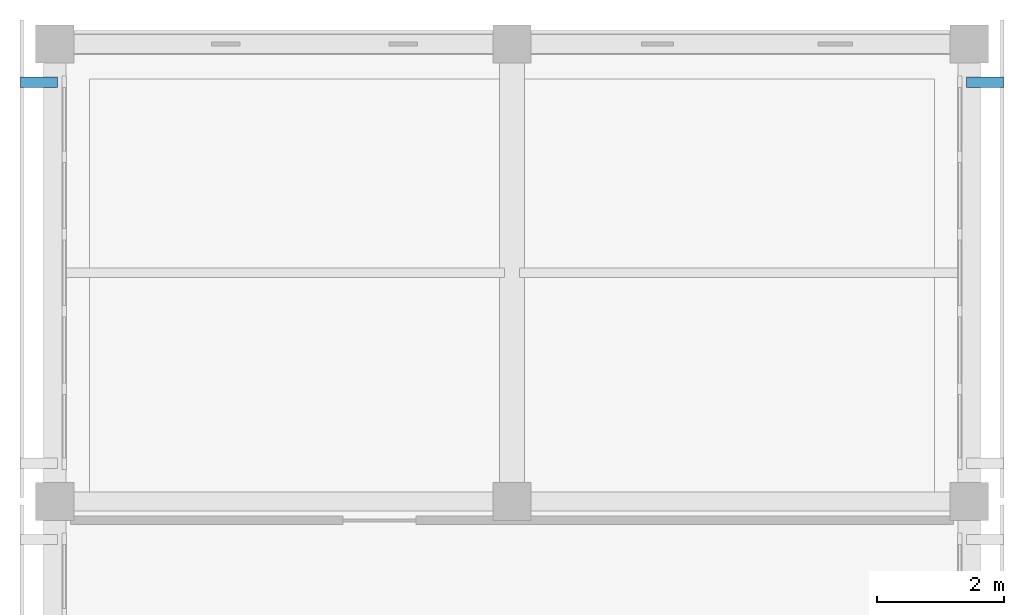
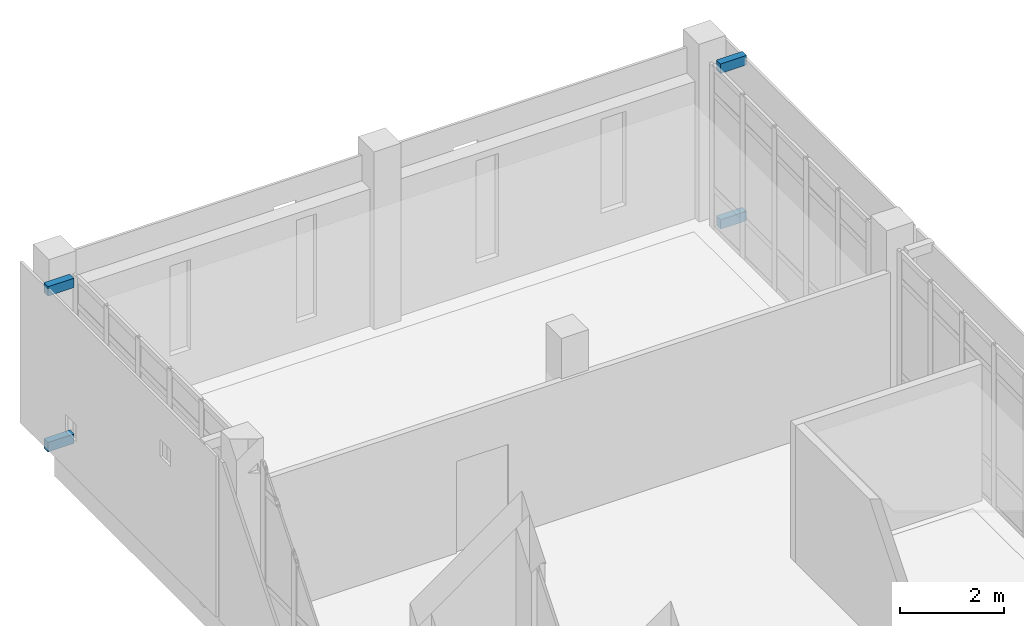
# One storey, part 18 of 21: 4 discrete accessories.
"""IFC4 building model written with IfcOpenShell, lengths in metres."""

import ifcopenshell
import ifcopenshell.guid

model = None  # the IFC model being written
_history = None  # IfcOwnerHistory: only IFC2X3 demands one
_inside = {}  # id of a spatial element -> (the spatial element, [elements in it])
_under = {}  # id of a project, library or spatial element -> (it, [spatial elements below it])
_declared = {}  # id of a project -> (the project, [libraries it declares])
_typed = {}  # id of a type object -> (the type object, [elements of that type])
_made_of = {}  # id of a material, layer set ... -> (it, [elements and type objects made of it])


def new_model(schema):
    """Start an empty IFC model of exactly this schema.

    Asked for "IFC4X3", IfcOpenShell would pick the latest addendum, in which some entities
    have other attributes; the version numbers below select the first issue.
    IFC2X3 requires an IfcOwnerHistory on every rooted entity: one is made here for all.
    """
    global model, _history
    if schema == "IFC4X3":
        model = ifcopenshell.file(schema_version=(4, 3, 0, 0))
    else:
        model = ifcopenshell.file(schema=schema)
    _inside.clear()
    _under.clear()
    _declared.clear()
    _typed.clear()
    _made_of.clear()
    _history = None
    if model.schema == "IFC2X3":
        org = make("IfcOrganization", Name="unknown")
        user = make(
            "IfcPersonAndOrganization",
            ThePerson=make("IfcPerson", FamilyName="unknown"),
            TheOrganization=org,
        )
        app = make(
            "IfcApplication",
            ApplicationDeveloper=org,
            Version="unknown",
            ApplicationFullName="unknown",
            ApplicationIdentifier="unknown",
        )
        _history = make(
            "IfcOwnerHistory",
            OwningUser=user,
            OwningApplication=app,
            ChangeAction="ADDED",
            CreationDate=0,
        )
    return model


def make(cls, **values):
    """One entity of the class cls with the attributes given. An attribute that is None is left unset."""
    return model.create_entity(
        cls, **{name: value for name, value in values.items() if value is not None}
    )


def rooted(cls, **values):
    """An entity with a GlobalId (a new one), such as an element, a storey or a relation."""
    return make(cls, GlobalId=ifcopenshell.guid.new(), OwnerHistory=_history, **values)


def si_unit(unit_type, name, prefix=None):
    """IfcSIUnit, for example si_unit("LENGTHUNIT", "METRE", prefix="MILLI")."""
    return make("IfcSIUnit", UnitType=unit_type, Prefix=prefix, Name=name)


def assignment(units):
    """IfcUnitAssignment: the units of a project."""
    return None if units is None else make("IfcUnitAssignment", Units=units)


def point(xyz):
    """IfcCartesianPoint."""
    return None if xyz is None else make("IfcCartesianPoint", Coordinates=xyz)


def direction(xyz):
    """IfcDirection."""
    return None if xyz is None else make("IfcDirection", DirectionRatios=xyz)


def frame(location, z_axis=None, x_axis=None):
    """IfcAxis2Placement3D, a coordinate frame: its origin and axes. An axis left out is left unset."""
    return make(
        "IfcAxis2Placement3D",
        Location=point(location),
        Axis=direction(z_axis),
        RefDirection=direction(x_axis),
    )


def frame_2d(location, x_axis=None):
    """IfcAxis2Placement2D, a coordinate frame in the plane: its origin and x axis."""
    return make(
        "IfcAxis2Placement2D", Location=point(location), RefDirection=direction(x_axis)
    )


def origin():
    """The frame at (0, 0, 0) with its axes left unset."""
    return frame((0.0, 0.0, 0.0))


def origin_2d():
    """The frame at (0, 0) in the plane with its x axis left unset."""
    return frame_2d((0.0, 0.0))


def place(relative_to, where):
    """IfcLocalPlacement: puts the frame where relative to a parent placement (None: the world)."""
    return make(
        "IfcLocalPlacement", PlacementRelTo=relative_to, RelativePlacement=where
    )


def context(
    kind, dimensions, precision=None, world=None, true_north=None, identifier=None
):
    """IfcGeometricRepresentationContext, for example the 3D "Model" context."""
    return make(
        "IfcGeometricRepresentationContext",
        ContextIdentifier=identifier,
        ContextType=kind,
        CoordinateSpaceDimension=dimensions,
        Precision=precision,
        WorldCoordinateSystem=world,
        TrueNorth=true_north,
    )


def subcontext(parent, identifier, kind, view, scale=None):
    """IfcGeometricRepresentationSubContext, for example "Body" below "Model"."""
    return make(
        "IfcGeometricRepresentationSubContext",
        ContextIdentifier=identifier,
        ContextType=kind,
        ParentContext=parent,
        TargetScale=scale,
        TargetView=view,
    )


def project(units=None, contexts=None):
    """IfcProject with its units and contexts."""
    return rooted(
        "IfcProject",
        Name="project",
        RepresentationContexts=contexts,
        UnitsInContext=assignment(units),
    )


def spatial(cls, under=None, at=None, **own):
    """A site, building, storey or space (cls), placed at a placement, below another one or the project."""
    s = rooted(cls, ObjectPlacement=at, **own)
    if under is not None:
        _under.setdefault(under.id(), (under, []))[1].append(s)
    return s


def profile(cls, at=None, kind="AREA", **sizes):
    """A parametric profile (cls). Its sizes go by their IFC names, for example OverallWidth=200.0."""
    return make(cls, ProfileType=kind, Position=at, **sizes)


def rectangle(**sizes):
    """IfcRectangleProfileDef."""
    return profile("IfcRectangleProfileDef", **sizes)


def extrude(swept, where, along, depth):
    """IfcExtrudedAreaSolid: the profile swept, set in the frame where, extruded along a direction by depth."""
    return make(
        "IfcExtrudedAreaSolid",
        SweptArea=swept,
        Position=where,
        ExtrudedDirection=direction(along),
        Depth=depth,
    )


def shape(context_of_items, identifier, shape_type, items):
    """IfcShapeRepresentation: the items that make up one representation, for example the "Body"."""
    return make(
        "IfcShapeRepresentation",
        ContextOfItems=context_of_items,
        RepresentationIdentifier=identifier,
        RepresentationType=shape_type,
        Items=items,
    )


def material(Name=None, Category=None):
    """IfcMaterial."""
    return make("IfcMaterial", Name=Name, Category=Category)


def made_of(thing, what):
    """Note that an element or type object is made of a material, layer set ...; save() writes the relation."""
    if what is not None:
        _made_of.setdefault(what.id(), (what, []))[1].append(thing)
    return thing


def type_object(cls, material=None, **own):
    """A type object (cls), such as IfcWallType, which elements share."""
    return made_of(rooted(cls, **own), material)


def element(
    cls,
    number,
    at=None,
    inside=None,
    cuts=None,
    type_object=None,
    material=None,
    context=None,
    identifier="Body",
    shape_type=None,
    held_by="IfcProductDefinitionShape",
    body=None,
    shapes=None,
    **own,
):
    """One element of the class cls, such as IfcWall. Its Tag is "e" and its number.

    at: its placement. inside: the storey or other place that contains it. cuts: it is an
    opening in that element (IfcRelVoidsElement). A single representation is given by context,
    identifier, shape_type and body (its items); several are given by shapes. held_by: the class
    of the entity that holds the representations. save() writes the other relations.
    """
    e = rooted(cls, Tag="e%d" % number, ObjectPlacement=at, **own)
    if body is not None:
        shapes = [shape(context, identifier, shape_type, body)]
    if shapes is not None:
        e.Representation = make(held_by, Representations=shapes)
    if inside is not None:
        _inside.setdefault(inside.id(), (inside, []))[1].append(e)
    if cuts is not None:
        rooted(
            "IfcRelVoidsElement", RelatingBuildingElement=cuts, RelatedOpeningElement=e
        )
    if type_object is not None:
        _typed.setdefault(type_object.id(), (type_object, []))[1].append(e)
    return made_of(e, material)


def aggregate(whole, parts):
    """IfcRelAggregates: a whole, such as a stair, and the parts it consists of."""
    return rooted("IfcRelAggregates", RelatingObject=whole, RelatedObjects=parts)


def save(model, path):
    """Write the relations noted so far, then the file.

    IfcRelAggregates (storeys below a building ...), IfcRelContainedInSpatialStructure (elements
    in a storey), IfcRelDefinesByType, IfcRelAssociatesMaterial and IfcRelDeclares: one each for
    every whole, place, type object, material and project.
    """
    for whole, parts in _under.values():
        aggregate(whole, parts)
    for where, things in _inside.values():
        rooted(
            "IfcRelContainedInSpatialStructure",
            RelatedElements=things,
            RelatingStructure=where,
        )
    for kind, things in _typed.values():
        rooted("IfcRelDefinesByType", RelatedObjects=things, RelatingType=kind)
    for what, things in _made_of.values():
        rooted("IfcRelAssociatesMaterial", RelatedObjects=things, RelatingMaterial=what)
    for by, libraries in _declared.values():
        rooted("IfcRelDeclares", RelatingContext=by, RelatedDefinitions=libraries)
    model.write(path)


model = new_model("IFC4")

# Units and contexts
model_context = context("Model", 3, precision=1e-05, world=origin(), true_north=direction((0.0, 1.0)))
body_context = subcontext(model_context, "Body", "Model", "MODEL_VIEW")
ifc_project = project(units=[si_unit("LENGTHUNIT", "METRE"), si_unit("AREAUNIT", "SQUARE_METRE"), si_unit("VOLUMEUNIT", "CUBIC_METRE"), si_unit("PLANEANGLEUNIT", "RADIAN"), si_unit("MASSUNIT", "GRAM", prefix="KILO")], contexts=[model_context])

# Site, building, storey
site_placement = place(None, origin())
site = spatial("IfcSite", under=ifc_project, at=site_placement, CompositionType="ELEMENT")
building_placement = place(site_placement, origin())
building = spatial("IfcBuilding", under=site, at=building_placement, Name="Valkovuoma Quantum and Materials Research Institute", CompositionType="ELEMENT")
storey_placement = place(building_placement, frame((0.0, 0.0, 33.919921875)))
storey = spatial("IfcBuildingStorey", under=building, at=storey_placement, Name="L08", CompositionType="ELEMENT", Elevation=33.919921875)

# Discrete accessories
ifc_material = material(Name="Steel S355J2", Category="steel")
discrete_accessory_type = type_object("IfcDiscreteAccessoryType", Name="Brk-BRK-01", PredefinedType="BRACKET", material=ifc_material)
for number, where, z_axis, x_axis, name in (
    (1, (-0.25, 93.0, -0.02978515625), (0.0, 0.0, 1.0), (1.0, 0.0, 0.0), "L08 screen bracket 00534"),
    (2, (-0.25, 93.0, 3.6201171875), (0.0, 0.0, 1.0), (1.0, 0.0, 0.0), "L08 screen bracket 00536"),
    (3, (14.64990234375, 93.0, -0.02978515625), (0.0, 0.0, 1.0), (1.0, 0.0, 0.0), "L08 screen bracket 00538"),
    (4, (14.64990234375, 93.0, 3.6201171875), (0.0, 0.0, 1.0), (1.0, 0.0, 0.0), "L08 screen bracket 00540"),
):
    element("IfcDiscreteAccessory", number, at=place(storey_placement, frame(where, z_axis=z_axis, x_axis=x_axis)), inside=storey, type_object=discrete_accessory_type, Name=name, PredefinedType="BRACKET", context=body_context, shape_type="SweptSolid", body=[
        extrude(rectangle(XDim=0.580078125, YDim=0.159912109375, at=origin_2d()), origin(), (0.0, 0.0, 1.0), 0.219970703125),
    ])

save(model, "model.ifc")
